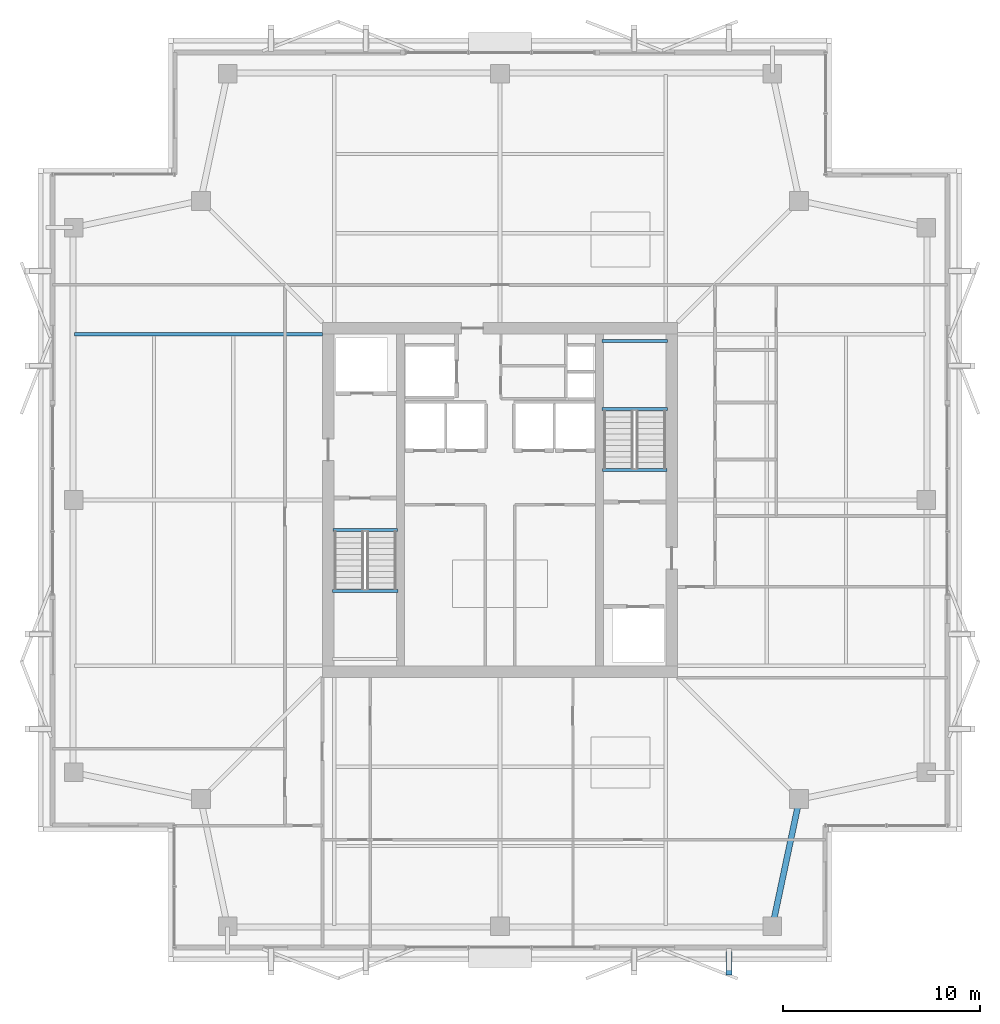
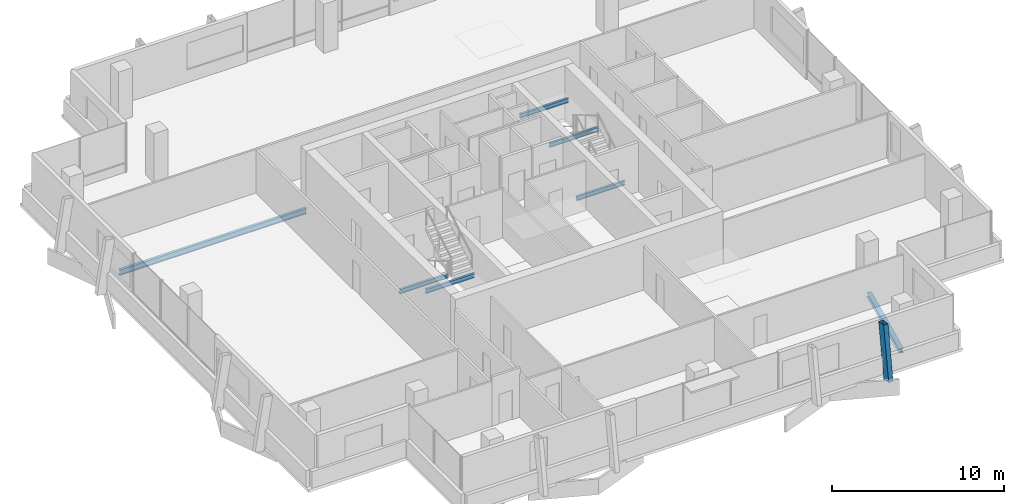
# One storey, part 8 of 26: 7 beams, 1 member.
"""IFC4 building model written with IfcOpenShell, lengths in metres."""

from ifc_helpers import new_model, si_unit, direction, frame, origin, origin_2d, place, context, subcontext, project, spatial, hollow_rectangle, i_section, extrude, material, material_profile, profile_set, type_object, element, save


model = new_model("IFC4")

# Units and contexts
model_context = context("Model", 3, precision=1e-05, world=origin(), true_north=direction((0.0, 1.0)))
body_context = subcontext(model_context, "Body", "Model", "MODEL_VIEW")
ifc_project = project(units=[si_unit("LENGTHUNIT", "METRE"), si_unit("AREAUNIT", "SQUARE_METRE"), si_unit("VOLUMEUNIT", "CUBIC_METRE"), si_unit("PLANEANGLEUNIT", "RADIAN"), si_unit("MASSUNIT", "GRAM", prefix="KILO")], contexts=[model_context])

# Site, building, storey
site_placement = place(None, origin())
site = spatial("IfcSite", under=ifc_project, at=site_placement, CompositionType="ELEMENT")
building_placement = place(site_placement, origin())
building = spatial("IfcBuilding", under=site, at=building_placement, Name="Belovzor Exchange Tower", CompositionType="ELEMENT")
storey_placement = place(building_placement, frame((0.0, 0.0, 295.5)))
storey = spatial("IfcBuildingStorey", under=building, at=storey_placement, Name="L73", CompositionType="ELEMENT", Elevation=295.5)

# Beams
ifc_material_1 = material(Name="Steel S355", Category="steel")
ifc_material_profile_1 = material_profile(ifc_material_1, i_section(OverallWidth=0.14990234375, OverallDepth=0.300048828125, WebThickness=0.007080078125, FlangeThickness=0.0107421875, at=origin_2d()))
ifc_profile_set_1 = profile_set([ifc_material_profile_1], Name="Steel S355")
beam_type_1 = type_object("IfcBeamType", Name="Secondary Trim Floor Joist IPE 300", PredefinedType="BEAM", material=ifc_profile_set_1)
beam_1_placement = place(storey_placement, frame((20.320068359375, 24.179931640625, 1.52490234375), z_axis=(1.0, 0.0, 0.0), x_axis=(0.0, 1.0, 0.0)))
element("IfcBeam", 1, at=beam_1_placement, inside=storey, type_object=beam_type_1, Name="FJ-300 Secondary Trim Floor Joist IPE 300", PredefinedType="BEAM", context=body_context, shape_type="SweptSolid", body=[
    extrude(i_section(OverallWidth=0.14990234375, OverallDepth=0.300048828125, WebThickness=0.007080078125, FlangeThickness=0.0107421875, at=origin_2d()), origin(), (0.0, 0.0, 1.0), 3.309814453125),
])
beam_2_placement = place(storey_placement, frame((20.340087890625, 27.280029296875, -0.389892578125), z_axis=(1.0, 0.0, 0.0), x_axis=(0.0, 1.0, 0.0)))
element("IfcBeam", 2, at=beam_2_placement, inside=storey, type_object=beam_type_1, Name="FJ-300 Secondary Trim Floor Joist IPE 300", PredefinedType="BEAM", context=body_context, shape_type="SweptSolid", body=[
    extrude(i_section(OverallWidth=0.14990234375, OverallDepth=0.300048828125, WebThickness=0.007080078125, FlangeThickness=0.0107421875, at=origin_2d()), origin(), (0.0, 0.0, 1.0), 3.27001953125),
])
for number, where, z_axis, x_axis, name in (
    (3, (37.280029296875, 33.419921875, 1.52490234375), (-1.0, 0.0, 0.0), (0.0, -1.0, 0.0), "FJ-300 Secondary Trim Floor Joist IPE 300"),
    (4, (37.280029296875, 36.85009765625, 1.52490234375), (-1.0, 0.0, 0.0), (0.0, -1.0, 0.0), "FJ-300 Secondary Trim Floor Joist IPE 300"),
):
    element("IfcBeam", number, at=place(storey_placement, frame(where, z_axis=z_axis, x_axis=x_axis)), inside=storey, type_object=beam_type_1, Name=name, PredefinedType="BEAM", context=body_context, shape_type="SweptSolid", body=[
        extrude(i_section(OverallWidth=0.14990234375, OverallDepth=0.300048828125, WebThickness=0.007080078125, FlangeThickness=0.0107421875, at=origin_2d()), origin(), (0.0, 0.0, 1.0), 3.31005859375),
    ])
beam_3_placement = place(storey_placement, frame((37.260009765625, 30.320068359375, -0.389892578125), z_axis=(-1.0, 0.0, 0.0), x_axis=(0.0, -1.0, 0.0)))
element("IfcBeam", 5, at=beam_3_placement, inside=storey, type_object=beam_type_1, Name="FJ-300 Secondary Trim Floor Joist IPE 300", PredefinedType="BEAM", context=body_context, shape_type="SweptSolid", body=[
    extrude(i_section(OverallWidth=0.14990234375, OverallDepth=0.300048828125, WebThickness=0.007080078125, FlangeThickness=0.0107421875, at=origin_2d()), origin(), (0.0, 0.0, 1.0), 3.27001953125),
])

# Member
ifc_material_2 = material(Name="Extruded Architectural Terracotta on Steel S355 Carrier", Category="masonry")
ifc_material_profile_2 = material_profile(ifc_material_2, hollow_rectangle(XDim=0.300048828125, YDim=0.60009765625, WallThickness=0.01611328125, at=origin_2d()))
ifc_profile_set_2 = profile_set([ifc_material_profile_2], Name="Extruded Architectural Terracotta on Steel S355 Carrier")
member_type = type_object("IfcMemberType", Name="Upper Crown Terracotta Fin Assembly 550", PredefinedType="USERDEFINED", material=ifc_profile_set_2)
member_placement = place(storey_placement, frame((40.39990234375, 5.02490234375, -0.239990234375), z_axis=(0.0, 0.158015573692, 0.987436619977), x_axis=(-1.0, 0.0, 0.0)))
element("IfcMember", 6, at=member_placement, inside=storey, type_object=member_type, Name="FIN-TC055 Terracotta Facade Fin L73 S4", ObjectType="FIN", PredefinedType="USERDEFINED", context=body_context, shape_type="SweptSolid", body=[
    extrude(hollow_rectangle(XDim=0.300048828125, YDim=0.60009765625, WallThickness=0.01611328125, at=origin_2d()), origin(), (0.0, 0.0, 1.0), 3.797607421875),
])

# Beams
ifc_material_3 = material(Name="Steel S355", Category="steel")
ifc_material_profile_3 = material_profile(ifc_material_3, i_section(OverallWidth=0.179931640625, OverallDepth=0.39990234375, WebThickness=0.008544921875, FlangeThickness=0.013427734375, at=origin_2d()))
ifc_profile_set_3 = profile_set([ifc_material_profile_3], Name="Steel S355")
beam_type_2 = type_object("IfcBeamType", Name="Zone 5-6 Radial Composite Floor Beam IPE 400", PredefinedType="BEAM", material=ifc_profile_set_3)
beam_4_placement = place(storey_placement, frame((19.800048828125, 37.199951171875, -0.43994140625), z_axis=(-1.0, 0.0, 0.0), x_axis=(0.0, -1.0, 0.0)))
element("IfcBeam", 7, at=beam_4_placement, inside=storey, type_object=beam_type_2, Name="FB-400 Zone 5-6 Radial Composite Floor Beam IPE 400", PredefinedType="BEAM", context=body_context, shape_type="SweptSolid", body=[
    extrude(i_section(OverallWidth=0.179931640625, OverallDepth=0.39990234375, WebThickness=0.008544921875, FlangeThickness=0.013427734375, at=origin_2d()), origin(), (0.0, 0.0, 1.0), 12.56396484375),
])
ifc_material_4 = material(Name="Steel S355", Category="steel")
ifc_material_profile_4 = material_profile(ifc_material_4, i_section(OverallWidth=0.300048828125, OverallDepth=0.300048828125, WebThickness=0.008544921875, FlangeThickness=0.013916015625, at=origin_2d()))
ifc_profile_set_4 = profile_set([ifc_material_profile_4], Name="Steel S355")
beam_type_3 = type_object("IfcBeamType", Name="Zone 6 Primary Girder HEA 300", PredefinedType="BEAM", material=ifc_profile_set_4)
beam_5_placement = place(storey_placement, frame((42.654052734375, 7.4169921875, -0.389892578125), z_axis=(0.20721241971, 0.978295974191, 0.0), x_axis=(-0.978295974191, 0.20721241971, 0.0)))
element("IfcBeam", 8, at=beam_5_placement, inside=storey, type_object=beam_type_3, Name="FG-Z6 Zone 6 Primary Girder HEA 300", PredefinedType="BEAM", context=body_context, shape_type="SweptSolid", body=[
    extrude(i_section(OverallWidth=0.300048828125, OverallDepth=0.300048828125, WebThickness=0.008544921875, FlangeThickness=0.013916015625, at=origin_2d()), origin(), (0.0, 0.0, 1.0), 6.090087890625),
])

save(model, "model.ifc")
